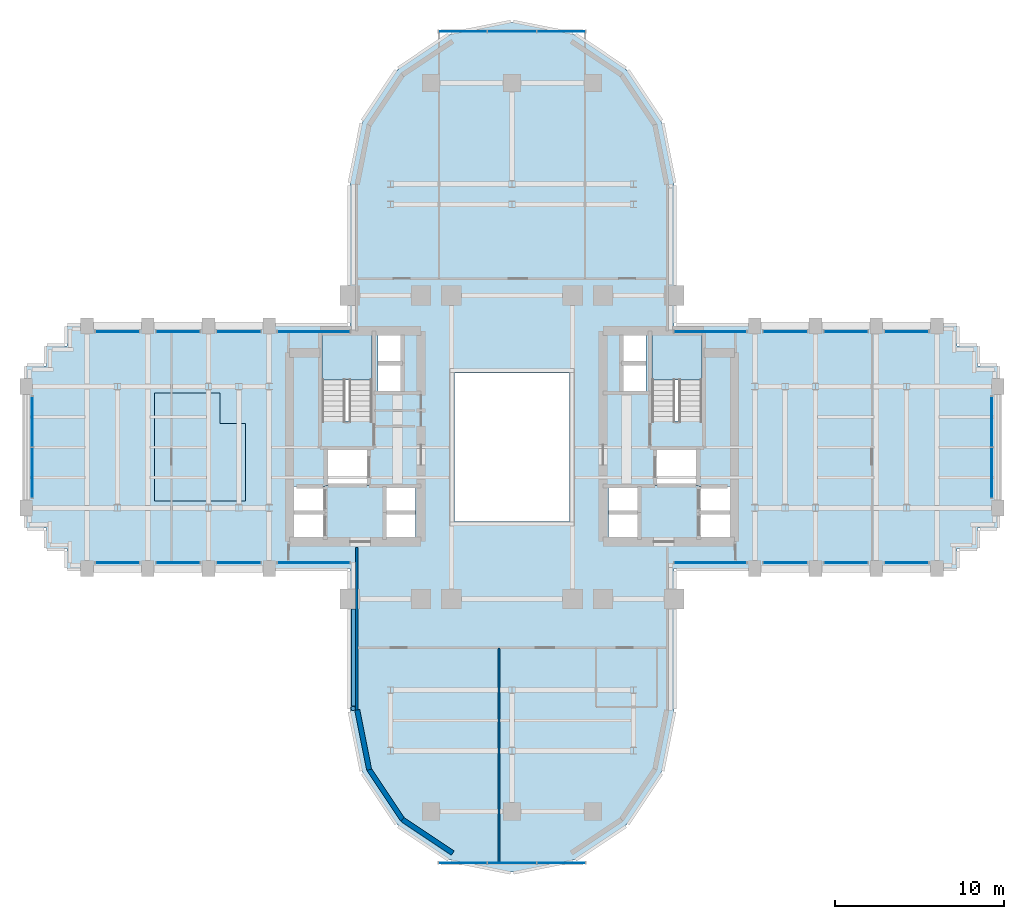
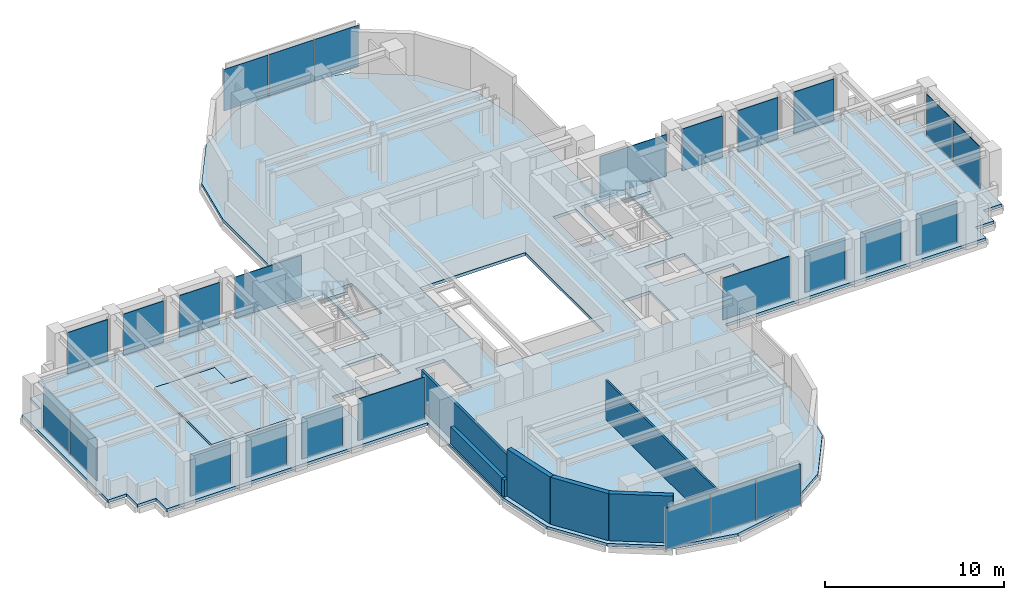
# One storey, part 9 of 16: 26 plates, 7 walls, 4 slabs, 22 elements without a shape of their own.
"""IFC4 building model written with IfcOpenShell, lengths in metres."""

import ifcopenshell
import ifcopenshell.guid

model = None  # the IFC model being written
_history = None  # IfcOwnerHistory: only IFC2X3 demands one
_inside = {}  # id of a spatial element -> (the spatial element, [elements in it])
_under = {}  # id of a project, library or spatial element -> (it, [spatial elements below it])
_declared = {}  # id of a project -> (the project, [libraries it declares])
_typed = {}  # id of a type object -> (the type object, [elements of that type])
_made_of = {}  # id of a material, layer set ... -> (it, [elements and type objects made of it])


def new_model(schema):
    """Start an empty IFC model of exactly this schema.

    Asked for "IFC4X3", IfcOpenShell would pick the latest addendum, in which some entities
    have other attributes; the version numbers below select the first issue.
    IFC2X3 requires an IfcOwnerHistory on every rooted entity: one is made here for all.
    """
    global model, _history
    if schema == "IFC4X3":
        model = ifcopenshell.file(schema_version=(4, 3, 0, 0))
    else:
        model = ifcopenshell.file(schema=schema)
    _inside.clear()
    _under.clear()
    _declared.clear()
    _typed.clear()
    _made_of.clear()
    _history = None
    if model.schema == "IFC2X3":
        org = make("IfcOrganization", Name="unknown")
        user = make(
            "IfcPersonAndOrganization",
            ThePerson=make("IfcPerson", FamilyName="unknown"),
            TheOrganization=org,
        )
        app = make(
            "IfcApplication",
            ApplicationDeveloper=org,
            Version="unknown",
            ApplicationFullName="unknown",
            ApplicationIdentifier="unknown",
        )
        _history = make(
            "IfcOwnerHistory",
            OwningUser=user,
            OwningApplication=app,
            ChangeAction="ADDED",
            CreationDate=0,
        )
    return model


def make(cls, **values):
    """One entity of the class cls with the attributes given. An attribute that is None is left unset."""
    return model.create_entity(
        cls, **{name: value for name, value in values.items() if value is not None}
    )


def rooted(cls, **values):
    """An entity with a GlobalId (a new one), such as an element, a storey or a relation."""
    return make(cls, GlobalId=ifcopenshell.guid.new(), OwnerHistory=_history, **values)


def si_unit(unit_type, name, prefix=None):
    """IfcSIUnit, for example si_unit("LENGTHUNIT", "METRE", prefix="MILLI")."""
    return make("IfcSIUnit", UnitType=unit_type, Prefix=prefix, Name=name)


def assignment(units):
    """IfcUnitAssignment: the units of a project."""
    return None if units is None else make("IfcUnitAssignment", Units=units)


def point(xyz):
    """IfcCartesianPoint."""
    return None if xyz is None else make("IfcCartesianPoint", Coordinates=xyz)


def direction(xyz):
    """IfcDirection."""
    return None if xyz is None else make("IfcDirection", DirectionRatios=xyz)


def frame(location, z_axis=None, x_axis=None):
    """IfcAxis2Placement3D, a coordinate frame: its origin and axes. An axis left out is left unset."""
    return make(
        "IfcAxis2Placement3D",
        Location=point(location),
        Axis=direction(z_axis),
        RefDirection=direction(x_axis),
    )


def frame_2d(location, x_axis=None):
    """IfcAxis2Placement2D, a coordinate frame in the plane: its origin and x axis."""
    return make(
        "IfcAxis2Placement2D", Location=point(location), RefDirection=direction(x_axis)
    )


def origin():
    """The frame at (0, 0, 0) with its axes left unset."""
    return frame((0.0, 0.0, 0.0))


def origin_2d():
    """The frame at (0, 0) in the plane with its x axis left unset."""
    return frame_2d((0.0, 0.0))


def place(relative_to, where):
    """IfcLocalPlacement: puts the frame where relative to a parent placement (None: the world)."""
    return make(
        "IfcLocalPlacement", PlacementRelTo=relative_to, RelativePlacement=where
    )


def context(
    kind, dimensions, precision=None, world=None, true_north=None, identifier=None
):
    """IfcGeometricRepresentationContext, for example the 3D "Model" context."""
    return make(
        "IfcGeometricRepresentationContext",
        ContextIdentifier=identifier,
        ContextType=kind,
        CoordinateSpaceDimension=dimensions,
        Precision=precision,
        WorldCoordinateSystem=world,
        TrueNorth=true_north,
    )


def subcontext(parent, identifier, kind, view, scale=None):
    """IfcGeometricRepresentationSubContext, for example "Body" below "Model"."""
    return make(
        "IfcGeometricRepresentationSubContext",
        ContextIdentifier=identifier,
        ContextType=kind,
        ParentContext=parent,
        TargetScale=scale,
        TargetView=view,
    )


def project(units=None, contexts=None):
    """IfcProject with its units and contexts."""
    return rooted(
        "IfcProject",
        Name="project",
        RepresentationContexts=contexts,
        UnitsInContext=assignment(units),
    )


def spatial(cls, under=None, at=None, **own):
    """A site, building, storey or space (cls), placed at a placement, below another one or the project."""
    s = rooted(cls, ObjectPlacement=at, **own)
    if under is not None:
        _under.setdefault(under.id(), (under, []))[1].append(s)
    return s


def polyline(points):
    """IfcPolyline through the points."""
    return make("IfcPolyline", Points=[point(p) for p in points])


def profile(cls, at=None, kind="AREA", **sizes):
    """A parametric profile (cls). Its sizes go by their IFC names, for example OverallWidth=200.0."""
    return make(cls, ProfileType=kind, Position=at, **sizes)


def rectangle(**sizes):
    """IfcRectangleProfileDef."""
    return profile("IfcRectangleProfileDef", **sizes)


def outline(outer, holes=None, kind="AREA"):
    """IfcArbitraryClosedProfileDef: a profile drawn as a closed curve; with holes, ...WithVoids."""
    if holes is None:
        return make("IfcArbitraryClosedProfileDef", ProfileType=kind, OuterCurve=outer)
    return make(
        "IfcArbitraryProfileDefWithVoids",
        ProfileType=kind,
        OuterCurve=outer,
        InnerCurves=holes,
    )


def extrude(swept, where, along, depth):
    """IfcExtrudedAreaSolid: the profile swept, set in the frame where, extruded along a direction by depth."""
    return make(
        "IfcExtrudedAreaSolid",
        SweptArea=swept,
        Position=where,
        ExtrudedDirection=direction(along),
        Depth=depth,
    )


def shape(context_of_items, identifier, shape_type, items):
    """IfcShapeRepresentation: the items that make up one representation, for example the "Body"."""
    return make(
        "IfcShapeRepresentation",
        ContextOfItems=context_of_items,
        RepresentationIdentifier=identifier,
        RepresentationType=shape_type,
        Items=items,
    )


def source(mapping_origin, context_of_items, identifier, shape_type, items):
    """IfcRepresentationMap: a shape defined once, which mapped items show again and again."""
    return make(
        "IfcRepresentationMap",
        MappingOrigin=mapping_origin,
        MappedRepresentation=shape(context_of_items, identifier, shape_type, items),
    )


def transform(
    local_origin,
    x_axis=None,
    y_axis=None,
    z_axis=None,
    scale=None,
    scale2=None,
    scale3=None,
    uniform=True,
):
    """IfcCartesianTransformationOperator3D, or its non-uniform kind. x_axis, y_axis, z_axis: its Axis1, 2, 3."""
    if uniform:
        return make(
            "IfcCartesianTransformationOperator3D",
            Axis1=direction(x_axis),
            Axis2=direction(y_axis),
            LocalOrigin=point(local_origin),
            Scale=scale,
            Axis3=direction(z_axis),
        )
    return make(
        "IfcCartesianTransformationOperator3DnonUniform",
        Axis1=direction(x_axis),
        Axis2=direction(y_axis),
        LocalOrigin=point(local_origin),
        Scale=scale,
        Axis3=direction(z_axis),
        Scale2=scale2,
        Scale3=scale3,
    )


def mapped(mapping_source, mapping_target):
    """IfcMappedItem: shows the shape of a source again, moved by a transform."""
    return make(
        "IfcMappedItem", MappingSource=mapping_source, MappingTarget=mapping_target
    )


def material(Name=None, Category=None):
    """IfcMaterial."""
    return make("IfcMaterial", Name=Name, Category=Category)


def layer(
    of_material, thickness, ventilated=None, Name=None, Category=None, Priority=None
):
    """IfcMaterialLayer: one layer of a wall or slab, of a material (None: an air gap)."""
    return make(
        "IfcMaterialLayer",
        Material=of_material,
        LayerThickness=thickness,
        IsVentilated=ventilated,
        Name=Name,
        Category=Category,
        Priority=Priority,
    )


def layer_set(layers, Name=None):
    """IfcMaterialLayerSet."""
    return make("IfcMaterialLayerSet", MaterialLayers=layers, LayerSetName=Name)


def made_of(thing, what):
    """Note that an element or type object is made of a material, layer set ...; save() writes the relation."""
    if what is not None:
        _made_of.setdefault(what.id(), (what, []))[1].append(thing)
    return thing


def type_object(cls, material=None, **own):
    """A type object (cls), such as IfcWallType, which elements share."""
    return made_of(rooted(cls, **own), material)


def element(
    cls,
    number,
    at=None,
    inside=None,
    cuts=None,
    type_object=None,
    material=None,
    context=None,
    identifier="Body",
    shape_type=None,
    held_by="IfcProductDefinitionShape",
    body=None,
    shapes=None,
    **own,
):
    """One element of the class cls, such as IfcWall. Its Tag is "e" and its number.

    at: its placement. inside: the storey or other place that contains it. cuts: it is an
    opening in that element (IfcRelVoidsElement). A single representation is given by context,
    identifier, shape_type and body (its items); several are given by shapes. held_by: the class
    of the entity that holds the representations. save() writes the other relations.
    """
    e = rooted(cls, Tag="e%d" % number, ObjectPlacement=at, **own)
    if body is not None:
        shapes = [shape(context, identifier, shape_type, body)]
    if shapes is not None:
        e.Representation = make(held_by, Representations=shapes)
    if inside is not None:
        _inside.setdefault(inside.id(), (inside, []))[1].append(e)
    if cuts is not None:
        rooted(
            "IfcRelVoidsElement", RelatingBuildingElement=cuts, RelatedOpeningElement=e
        )
    if type_object is not None:
        _typed.setdefault(type_object.id(), (type_object, []))[1].append(e)
    return made_of(e, material)


def aggregate(whole, parts):
    """IfcRelAggregates: a whole, such as a stair, and the parts it consists of."""
    return rooted("IfcRelAggregates", RelatingObject=whole, RelatedObjects=parts)


def save(model, path):
    """Write the relations noted so far, then the file.

    IfcRelAggregates (storeys below a building ...), IfcRelContainedInSpatialStructure (elements
    in a storey), IfcRelDefinesByType, IfcRelAssociatesMaterial and IfcRelDeclares: one each for
    every whole, place, type object, material and project.
    """
    for whole, parts in _under.values():
        aggregate(whole, parts)
    for where, things in _inside.values():
        rooted(
            "IfcRelContainedInSpatialStructure",
            RelatedElements=things,
            RelatingStructure=where,
        )
    for kind, things in _typed.values():
        rooted("IfcRelDefinesByType", RelatedObjects=things, RelatingType=kind)
    for what, things in _made_of.values():
        rooted("IfcRelAssociatesMaterial", RelatedObjects=things, RelatingMaterial=what)
    for by, libraries in _declared.values():
        rooted("IfcRelDeclares", RelatingContext=by, RelatedDefinitions=libraries)
    model.write(path)


model = new_model("IFC4")

# Units and contexts
model_context = context("Model", 3, precision=1e-05, world=origin(), true_north=direction((0.0, 1.0)))
body_context = subcontext(model_context, "Body", "Model", "MODEL_VIEW")
ifc_project = project(units=[si_unit("LENGTHUNIT", "METRE"), si_unit("AREAUNIT", "SQUARE_METRE"), si_unit("VOLUMEUNIT", "CUBIC_METRE"), si_unit("PLANEANGLEUNIT", "RADIAN"), si_unit("MASSUNIT", "GRAM", prefix="KILO")], contexts=[model_context])

# Site, building, storey
site_placement = place(None, origin())
site = spatial("IfcSite", under=ifc_project, at=site_placement, CompositionType="ELEMENT")
building_placement = place(site_placement, origin())
building = spatial("IfcBuilding", under=site, at=building_placement, Name="Keilestroom Media Tower", CompositionType="ELEMENT")
storey_placement = place(building_placement, frame((0.0, 0.0, 81.60009765625)))
storey = spatial("IfcBuildingStorey", under=building, at=storey_placement, Name="L21", CompositionType="ELEMENT", Elevation=81.60009765625)

# Slabs
ifc_material_1 = material(Name="Concrete C50/60", Category="concrete")
ifc_layer_1 = layer(ifc_material_1, 0.199951171875)
ifc_layer_set_1 = layer_set([ifc_layer_1], Name="Concrete C50/60")
slab_type_1 = type_object("IfcSlabType", Name="Composite-Floor-Slab-200", PredefinedType="FLOOR", material=ifc_layer_set_1)
slab_1_placement = place(storey_placement, frame((0.0, 0.0, -0.2001953125)))
element("IfcSlab", 1, at=slab_1_placement, inside=storey, type_object=slab_type_1, Name="L21 Structural Composite Floor Slab", PredefinedType="FLOOR", context=body_context, shape_type="SweptSolid", body=[
    extrude(outline(polyline([(28.800048828125, -4.800048828125), (28.800048828125, 4.800048828125), (27.60009765625, 4.800048828125), (27.60009765625, 6.0), (26.39990234375, 6.0), (26.39990234375, 7.199951171875), (9.60009765625, 7.199951171875), (9.60009765625, 9.60009765625), (9.60009765625, 15.60009765625), (8.869140625, 19.273681640625), (6.7880859375, 22.38818359375), (3.673828125, 24.46923828125), (0.0, 25.199951171875), (-3.673828125, 24.46923828125), (-6.7880859375, 22.38818359375), (-8.869140625, 19.273681640625), (-9.60009765625, 15.60009765625), (-9.60009765625, 9.60009765625), (-9.60009765625, 7.199951171875), (-26.39990234375, 7.199951171875), (-26.39990234375, 6.0), (-27.60009765625, 6.0), (-27.60009765625, 4.800048828125), (-28.800048828125, 4.800048828125), (-28.800048828125, -4.800048828125), (-27.60009765625, -4.800048828125), (-27.60009765625, -6.0), (-26.39990234375, -6.0), (-26.39990234375, -7.199951171875), (-9.60009765625, -7.199951171875), (-9.60009765625, -9.60009765625), (-9.60009765625, -15.60009765625), (-8.869140625, -19.273681640625), (-6.7880859375, -22.38818359375), (-3.673828125, -24.46923828125), (0.0, -25.199951171875), (3.673828125, -24.46923828125), (6.7880859375, -22.38818359375), (8.869140625, -19.273681640625), (9.60009765625, -15.60009765625), (9.60009765625, -9.60009765625), (9.60009765625, -7.199951171875), (26.39990234375, -7.199951171875), (26.39990234375, -6.0), (27.60009765625, -6.0), (27.60009765625, -4.800048828125), (28.800048828125, -4.800048828125)]), holes=[polyline([(-12.919921875, -5.47998046875), (-12.919921875, -2.320068359375), (-11.080078125, -2.320068359375), (-11.080078125, -5.47998046875), (-12.919921875, -5.47998046875)]), polyline([(-11.260009765625, 1.544921875), (-11.260009765625, 6.760009765625), (-8.300048828125, 6.760009765625), (-8.300048828125, 1.544921875), (-11.260009765625, 1.544921875)]), polyline([(-11.050048828125, -2.280029296875), (-11.050048828125, -0.10009765625), (-8.47998046875, -0.10009765625), (-8.47998046875, -2.280029296875), (-11.050048828125, -2.280029296875)]), polyline([(-7.949951171875, 3.300048828125), (-7.949951171875, 6.64990234375), (-6.47998046875, 6.64990234375), (-6.47998046875, 3.300048828125), (-7.949951171875, 3.300048828125)]), polyline([(-7.56005859375, -5.47998046875), (-7.56005859375, -2.320068359375), (-5.719970703125, -2.320068359375), (-5.719970703125, -5.47998046875), (-7.56005859375, -5.47998046875)]), polyline([(-3.39990234375, -4.39990234375), (-3.39990234375, 4.39990234375), (3.39990234375, 4.39990234375), (3.39990234375, -4.39990234375), (-3.39990234375, -4.39990234375)]), polyline([(5.719970703125, -5.47998046875), (5.719970703125, -2.320068359375), (7.56005859375, -2.320068359375), (7.56005859375, -5.47998046875), (5.719970703125, -5.47998046875)]), polyline([(7.949951171875, 6.64990234375), (7.949951171875, 3.300048828125), (6.47998046875, 3.300048828125), (6.47998046875, 6.64990234375), (7.949951171875, 6.64990234375)]), polyline([(8.300048828125, 6.760009765625), (11.260009765625, 6.760009765625), (11.260009765625, 1.544921875), (8.300048828125, 1.544921875), (8.300048828125, 6.760009765625)]), polyline([(8.47998046875, -2.280029296875), (8.47998046875, -0.10009765625), (11.050048828125, -0.10009765625), (11.050048828125, -2.280029296875), (8.47998046875, -2.280029296875)]), polyline([(12.919921875, -5.47998046875), (11.080078125, -5.47998046875), (11.080078125, -2.320068359375), (12.919921875, -2.320068359375), (12.919921875, -5.47998046875)])]), origin(), (0.0, 0.0, 1.0), 0.2001953125),
])
ifc_material_2 = material(Name="Concrete C45/55", Category="concrete")
ifc_layer_2 = layer(ifc_material_2, 0.14990234375)
ifc_layer_set_2 = layer_set([ifc_layer_2], Name="Concrete C45/55")
slab_type_2 = type_object("IfcSlabType", Name="Floating-Studio-Floor-Slab-150", PredefinedType="FLOOR", material=ifc_layer_set_2)
slab_2_placement = place(storey_placement, origin())
element("IfcSlab", 2, at=slab_2_placement, inside=storey, type_object=slab_type_2, Name="L21 Acoustic Floating Studio Slab ST-COL-Z1", PredefinedType="FLOOR", context=body_context, shape_type="SweptSolid", body=[
    extrude(outline(polyline([(-21.199951171875, -3.199951171875), (-15.800048828125, -3.199951171875), (-15.800048828125, 1.407958984375), (-17.31201171875, 1.407958984375), (-17.31201171875, 3.199951171875), (-21.199951171875, 3.199951171875), (-21.199951171875, -3.199951171875)])), origin(), (0.0, 0.0, 1.0), 0.14990234375),
])

# Stair, slab
stair_type = type_object("IfcStairType", Name="Enclosed-Dog-Leg-Stair-ST-CORE", PredefinedType="HALF_TURN_STAIR", material=ifc_material_2)
stair_1_placement = place(storey_placement, origin())
stair_1 = element("IfcStair", 3, at=stair_1_placement, inside=storey, type_object=stair_type, Name="L21 West Core Escape Stair ST-1", PredefinedType="HALF_TURN_STAIR")
ifc_layer_3 = layer(ifc_material_2, 0.199951171875)
ifc_layer_set_3 = layer_set([ifc_layer_3], Name="Concrete C45/55")
slab_type_3 = type_object("IfcSlabType", Name="Stair-Intermediate-And-Top-Landing-Slab-200", PredefinedType="LANDING", material=ifc_layer_set_3)
slab_3_placement = place(storey_placement, frame((0.0, 0.0, 1.5)))
slab_3 = element("IfcSlab", 4, at=slab_3_placement, type_object=slab_type_3, Name="ST-1 landing 1", PredefinedType="LANDING", context=body_context, shape_type="SweptSolid", body=[
    extrude(outline(polyline([(-8.300048828125, 3.99609375), (-8.300048828125, 6.760009765625), (-11.260009765625, 6.760009765625), (-11.260009765625, 3.99609375), (-8.300048828125, 3.99609375)])), origin(), (0.0, 0.0, 1.0), 0.199951171875),
])
aggregate(stair_1, [slab_3])

stair_2_placement = place(storey_placement, origin())
stair_2 = element("IfcStair", 5, at=stair_2_placement, inside=storey, type_object=stair_type, Name="L21 East Core Escape Stair ST-2", PredefinedType="HALF_TURN_STAIR")
slab_4_placement = place(storey_placement, frame((0.0, 0.0, 1.5)))
slab_4 = element("IfcSlab", 6, at=slab_4_placement, type_object=slab_type_3, Name="ST-2 landing 1", PredefinedType="LANDING", context=body_context, shape_type="SweptSolid", body=[
    extrude(outline(polyline([(11.260009765625, 3.99609375), (11.260009765625, 6.760009765625), (8.300048828125, 6.760009765625), (8.300048828125, 3.99609375), (11.260009765625, 3.99609375)])), origin(), (0.0, 0.0, 1.0), 0.199951171875),
])
aggregate(stair_2, [slab_4])

# Curtain wall, plates
ifc_material_3 = material(Name="Anodised Aluminium Alloy", Category="aluminium")
curtain_wall_type_1 = type_object("IfcCurtainWallType", Name="Unitised-Curtain-Wall-CW-1", PredefinedType="NOTDEFINED", material=ifc_material_3)
curtain_wall_1_placement = place(storey_placement, origin())
curtain_wall_1 = element("IfcCurtainWall", 7, at=curtain_wall_1_placement, inside=storey, type_object=curtain_wall_type_1, Name="L21 Curtain Wall CW-1 CW-L21-W-1", PredefinedType="NOTDEFINED")
ifc_material_4 = material(Name="Double Glazed Low-E Unit", Category="glass")
ifc_layer_4 = layer(ifc_material_4, 0.0439453125)
ifc_layer_set_4 = layer_set([ifc_layer_4], Name="Double Glazed Low-E Unit")
plate_type_1 = type_object("IfcPlateType", Name="Insulated-Curtain-Wall-Glazing-Panel-CW-1", PredefinedType="CURTAIN_PANEL", material=ifc_layer_set_4)
shared_shape_1 = source(origin(), body_context, "Body", "SweptSolid", [
    extrude(rectangle(XDim=2.968017578125, YDim=0.0439453125, at=origin_2d()), origin(), (0.0, 0.0, 1.0), 2.833984375),
])
plate_1_placement = place(storey_placement, frame((-28.449951171875, -1.514892578125, 0.072998046875), z_axis=(0.0, 0.0, 1.0), x_axis=(0.0, 1.0, 0.0)))
plate_1 = element("IfcPlate", 8, at=plate_1_placement, type_object=plate_type_1, Name="CW-1 Unitised Glazing 00", PredefinedType="CURTAIN_PANEL", context=body_context, shape_type="MappedRepresentation", body=[
    mapped(shared_shape_1, transform((0.0, 0.0, 0.0), x_axis=(1.0, 0.0, 0.0), y_axis=(0.0, 1.0, 0.0), z_axis=(0.0, 0.0, 1.0), scale=1.0)),
])
plate_2_placement = place(storey_placement, frame((-28.449951171875, 1.514892578125, 0.072998046875), z_axis=(0.0, 0.0, 1.0), x_axis=(0.0, 1.0, 0.0)))
plate_2 = element("IfcPlate", 9, at=plate_2_placement, type_object=plate_type_1, Name="CW-1 Unitised Glazing 01", PredefinedType="CURTAIN_PANEL", context=body_context, shape_type="MappedRepresentation", body=[
    mapped(shared_shape_1, transform((0.0, 0.0, 0.0), x_axis=(1.0, 0.0, 0.0), y_axis=(0.0, 1.0, 0.0), z_axis=(0.0, 0.0, 1.0), scale=1.0)),
])
aggregate(curtain_wall_1, [plate_1, plate_2])

curtain_wall_2_placement = place(storey_placement, origin())
curtain_wall_2 = element("IfcCurtainWall", 10, at=curtain_wall_2_placement, inside=storey, type_object=curtain_wall_type_1, Name="L21 Curtain Wall CW-1 CW-L21-E-1", PredefinedType="NOTDEFINED")
plate_3_placement = place(storey_placement, frame((28.449951171875, -1.514892578125, 0.072998046875), z_axis=(0.0, 0.0, 1.0), x_axis=(0.0, 1.0, 0.0)))
plate_3 = element("IfcPlate", 11, at=plate_3_placement, type_object=plate_type_1, Name="CW-1 Unitised Glazing 00", PredefinedType="CURTAIN_PANEL", context=body_context, shape_type="MappedRepresentation", body=[
    mapped(shared_shape_1, transform((0.0, 0.0, 0.0), x_axis=(1.0, 0.0, 0.0), y_axis=(0.0, 1.0, 0.0), z_axis=(0.0, 0.0, 1.0), scale=1.0)),
])
plate_4_placement = place(storey_placement, frame((28.449951171875, 1.514892578125, 0.072998046875), z_axis=(0.0, 0.0, 1.0), x_axis=(0.0, 1.0, 0.0)))
plate_4 = element("IfcPlate", 12, at=plate_4_placement, type_object=plate_type_1, Name="CW-1 Unitised Glazing 01", PredefinedType="CURTAIN_PANEL", context=body_context, shape_type="MappedRepresentation", body=[
    mapped(shared_shape_1, transform((0.0, 0.0, 0.0), x_axis=(1.0, 0.0, 0.0), y_axis=(0.0, 1.0, 0.0), z_axis=(0.0, 0.0, 1.0), scale=1.0)),
])
aggregate(curtain_wall_2, [plate_3, plate_4])

# Curtain wall, plate
curtain_wall_3_placement = place(storey_placement, origin())
curtain_wall_3 = element("IfcCurtainWall", 13, at=curtain_wall_3_placement, inside=storey, type_object=curtain_wall_type_1, Name="L21 Curtain Wall CW-1 CW-L21-NW-1", PredefinedType="NOTDEFINED")
shared_shape_2 = source(origin(), body_context, "Body", "SweptSolid", [
    extrude(rectangle(XDim=2.597900390625, YDim=0.0439453125, at=origin_2d()), origin(), (0.0, 0.0, 1.0), 2.833984375),
])
plate_5_placement = place(storey_placement, frame((-23.39990234375, 6.85009765625, 0.072998046875), z_axis=(0.0, 0.0, 1.0), x_axis=(1.0, 0.0, 0.0)))
plate_5 = element("IfcPlate", 14, at=plate_5_placement, type_object=plate_type_1, Name="CW-1 Unitised Glazing 00", PredefinedType="CURTAIN_PANEL", context=body_context, shape_type="MappedRepresentation", body=[
    mapped(shared_shape_2, transform((0.0, 0.0, 0.0), x_axis=(1.0, 0.0, 0.0), y_axis=(0.0, 1.0, 0.0), z_axis=(0.0, 0.0, 1.0), scale=1.0)),
])
aggregate(curtain_wall_3, [plate_5])

curtain_wall_4_placement = place(storey_placement, origin())
curtain_wall_4 = element("IfcCurtainWall", 15, at=curtain_wall_4_placement, inside=storey, type_object=curtain_wall_type_1, Name="L21 Curtain Wall CW-1 CW-L21-NW-2", PredefinedType="NOTDEFINED")
plate_6_placement = place(storey_placement, frame((-19.800048828125, 6.85009765625, 0.072998046875), z_axis=(0.0, 0.0, 1.0), x_axis=(1.0, 0.0, 0.0)))
plate_6 = element("IfcPlate", 16, at=plate_6_placement, type_object=plate_type_1, Name="CW-1 Unitised Glazing 00", PredefinedType="CURTAIN_PANEL", context=body_context, shape_type="MappedRepresentation", body=[
    mapped(shared_shape_2, transform((0.0, 0.0, 0.0), x_axis=(1.0, 0.0, 0.0), y_axis=(0.0, 1.0, 0.0), z_axis=(0.0, 0.0, 1.0), scale=1.0)),
])
aggregate(curtain_wall_4, [plate_6])

curtain_wall_5_placement = place(storey_placement, origin())
curtain_wall_5 = element("IfcCurtainWall", 17, at=curtain_wall_5_placement, inside=storey, type_object=curtain_wall_type_1, Name="L21 Curtain Wall CW-1 CW-L21-NW-3", PredefinedType="NOTDEFINED")
plate_7_placement = place(storey_placement, frame((-16.199951171875, 6.85009765625, 0.072998046875), z_axis=(0.0, 0.0, 1.0), x_axis=(1.0, 0.0, 0.0)))
plate_7 = element("IfcPlate", 18, at=plate_7_placement, type_object=plate_type_1, Name="CW-1 Unitised Glazing 00", PredefinedType="CURTAIN_PANEL", context=body_context, shape_type="MappedRepresentation", body=[
    mapped(shared_shape_2, transform((0.0, 0.0, 0.0), x_axis=(1.0, 0.0, 0.0), y_axis=(0.0, 1.0, 0.0), z_axis=(0.0, 0.0, 1.0), scale=1.0)),
])
aggregate(curtain_wall_5, [plate_7])

curtain_wall_6_placement = place(storey_placement, origin())
curtain_wall_6 = element("IfcCurtainWall", 19, at=curtain_wall_6_placement, inside=storey, type_object=curtain_wall_type_1, Name="L21 Curtain Wall CW-1 CW-L21-NE-2", PredefinedType="NOTDEFINED")
plate_8_placement = place(storey_placement, frame((16.199951171875, 6.85009765625, 0.072998046875), z_axis=(0.0, 0.0, 1.0), x_axis=(1.0, 0.0, 0.0)))
plate_8 = element("IfcPlate", 20, at=plate_8_placement, type_object=plate_type_1, Name="CW-1 Unitised Glazing 00", PredefinedType="CURTAIN_PANEL", context=body_context, shape_type="MappedRepresentation", body=[
    mapped(shared_shape_2, transform((0.0, 0.0, 0.0), x_axis=(1.0, 0.0, 0.0), y_axis=(0.0, 1.0, 0.0), z_axis=(0.0, 0.0, 1.0), scale=1.0)),
])
aggregate(curtain_wall_6, [plate_8])

curtain_wall_7_placement = place(storey_placement, origin())
curtain_wall_7 = element("IfcCurtainWall", 21, at=curtain_wall_7_placement, inside=storey, type_object=curtain_wall_type_1, Name="L21 Curtain Wall CW-1 CW-L21-NE-3", PredefinedType="NOTDEFINED")
plate_9_placement = place(storey_placement, frame((19.800048828125, 6.85009765625, 0.072998046875), z_axis=(0.0, 0.0, 1.0), x_axis=(1.0, 0.0, 0.0)))
plate_9 = element("IfcPlate", 22, at=plate_9_placement, type_object=plate_type_1, Name="CW-1 Unitised Glazing 00", PredefinedType="CURTAIN_PANEL", context=body_context, shape_type="MappedRepresentation", body=[
    mapped(shared_shape_2, transform((0.0, 0.0, 0.0), x_axis=(1.0, 0.0, 0.0), y_axis=(0.0, 1.0, 0.0), z_axis=(0.0, 0.0, 1.0), scale=1.0)),
])
aggregate(curtain_wall_7, [plate_9])

curtain_wall_8_placement = place(storey_placement, origin())
curtain_wall_8 = element("IfcCurtainWall", 23, at=curtain_wall_8_placement, inside=storey, type_object=curtain_wall_type_1, Name="L21 Curtain Wall CW-1 CW-L21-NE-4", PredefinedType="NOTDEFINED")
plate_10_placement = place(storey_placement, frame((23.39990234375, 6.85009765625, 0.072998046875), z_axis=(0.0, 0.0, 1.0), x_axis=(1.0, 0.0, 0.0)))
plate_10 = element("IfcPlate", 24, at=plate_10_placement, type_object=plate_type_1, Name="CW-1 Unitised Glazing 00", PredefinedType="CURTAIN_PANEL", context=body_context, shape_type="MappedRepresentation", body=[
    mapped(shared_shape_2, transform((0.0, 0.0, 0.0), x_axis=(1.0, 0.0, 0.0), y_axis=(0.0, 1.0, 0.0), z_axis=(0.0, 0.0, 1.0), scale=1.0)),
])
aggregate(curtain_wall_8, [plate_10])

curtain_wall_9_placement = place(storey_placement, origin())
curtain_wall_9 = element("IfcCurtainWall", 25, at=curtain_wall_9_placement, inside=storey, type_object=curtain_wall_type_1, Name="L21 Curtain Wall CW-1 CW-L21-SW-1", PredefinedType="NOTDEFINED")
plate_11_placement = place(storey_placement, frame((-23.39990234375, -6.85009765625, 0.072998046875), z_axis=(0.0, 0.0, 1.0), x_axis=(1.0, 0.0, 0.0)))
plate_11 = element("IfcPlate", 26, at=plate_11_placement, type_object=plate_type_1, Name="CW-1 Unitised Glazing 00", PredefinedType="CURTAIN_PANEL", context=body_context, shape_type="MappedRepresentation", body=[
    mapped(shared_shape_2, transform((0.0, 0.0, 0.0), x_axis=(1.0, 0.0, 0.0), y_axis=(0.0, 1.0, 0.0), z_axis=(0.0, 0.0, 1.0), scale=1.0)),
])
aggregate(curtain_wall_9, [plate_11])

curtain_wall_10_placement = place(storey_placement, origin())
curtain_wall_10 = element("IfcCurtainWall", 27, at=curtain_wall_10_placement, inside=storey, type_object=curtain_wall_type_1, Name="L21 Curtain Wall CW-1 CW-L21-SW-2", PredefinedType="NOTDEFINED")
plate_12_placement = place(storey_placement, frame((-19.800048828125, -6.85009765625, 0.072998046875), z_axis=(0.0, 0.0, 1.0), x_axis=(1.0, 0.0, 0.0)))
plate_12 = element("IfcPlate", 28, at=plate_12_placement, type_object=plate_type_1, Name="CW-1 Unitised Glazing 00", PredefinedType="CURTAIN_PANEL", context=body_context, shape_type="MappedRepresentation", body=[
    mapped(shared_shape_2, transform((0.0, 0.0, 0.0), x_axis=(1.0, 0.0, 0.0), y_axis=(0.0, 1.0, 0.0), z_axis=(0.0, 0.0, 1.0), scale=1.0)),
])
aggregate(curtain_wall_10, [plate_12])

curtain_wall_11_placement = place(storey_placement, origin())
curtain_wall_11 = element("IfcCurtainWall", 29, at=curtain_wall_11_placement, inside=storey, type_object=curtain_wall_type_1, Name="L21 Curtain Wall CW-1 CW-L21-SW-3", PredefinedType="NOTDEFINED")
plate_13_placement = place(storey_placement, frame((-16.199951171875, -6.85009765625, 0.072998046875), z_axis=(0.0, 0.0, 1.0), x_axis=(1.0, 0.0, 0.0)))
plate_13 = element("IfcPlate", 30, at=plate_13_placement, type_object=plate_type_1, Name="CW-1 Unitised Glazing 00", PredefinedType="CURTAIN_PANEL", context=body_context, shape_type="MappedRepresentation", body=[
    mapped(shared_shape_2, transform((0.0, 0.0, 0.0), x_axis=(1.0, 0.0, 0.0), y_axis=(0.0, 1.0, 0.0), z_axis=(0.0, 0.0, 1.0), scale=1.0)),
])
aggregate(curtain_wall_11, [plate_13])

curtain_wall_12_placement = place(storey_placement, origin())
curtain_wall_12 = element("IfcCurtainWall", 31, at=curtain_wall_12_placement, inside=storey, type_object=curtain_wall_type_1, Name="L21 Curtain Wall CW-1 CW-L21-SE-2", PredefinedType="NOTDEFINED")
plate_14_placement = place(storey_placement, frame((16.199951171875, -6.85009765625, 0.072998046875), z_axis=(0.0, 0.0, 1.0), x_axis=(1.0, 0.0, 0.0)))
plate_14 = element("IfcPlate", 32, at=plate_14_placement, type_object=plate_type_1, Name="CW-1 Unitised Glazing 00", PredefinedType="CURTAIN_PANEL", context=body_context, shape_type="MappedRepresentation", body=[
    mapped(shared_shape_2, transform((0.0, 0.0, 0.0), x_axis=(1.0, 0.0, 0.0), y_axis=(0.0, 1.0, 0.0), z_axis=(0.0, 0.0, 1.0), scale=1.0)),
])
aggregate(curtain_wall_12, [plate_14])

curtain_wall_13_placement = place(storey_placement, origin())
curtain_wall_13 = element("IfcCurtainWall", 33, at=curtain_wall_13_placement, inside=storey, type_object=curtain_wall_type_1, Name="L21 Curtain Wall CW-1 CW-L21-SE-3", PredefinedType="NOTDEFINED")
plate_15_placement = place(storey_placement, frame((19.800048828125, -6.85009765625, 0.072998046875), z_axis=(0.0, 0.0, 1.0), x_axis=(1.0, 0.0, 0.0)))
plate_15 = element("IfcPlate", 34, at=plate_15_placement, type_object=plate_type_1, Name="CW-1 Unitised Glazing 00", PredefinedType="CURTAIN_PANEL", context=body_context, shape_type="MappedRepresentation", body=[
    mapped(shared_shape_2, transform((0.0, 0.0, 0.0), x_axis=(1.0, 0.0, 0.0), y_axis=(0.0, 1.0, 0.0), z_axis=(0.0, 0.0, 1.0), scale=1.0)),
])
aggregate(curtain_wall_13, [plate_15])

curtain_wall_14_placement = place(storey_placement, origin())
curtain_wall_14 = element("IfcCurtainWall", 35, at=curtain_wall_14_placement, inside=storey, type_object=curtain_wall_type_1, Name="L21 Curtain Wall CW-1 CW-L21-SE-4", PredefinedType="NOTDEFINED")
plate_16_placement = place(storey_placement, frame((23.39990234375, -6.85009765625, 0.072998046875), z_axis=(0.0, 0.0, 1.0), x_axis=(1.0, 0.0, 0.0)))
plate_16 = element("IfcPlate", 36, at=plate_16_placement, type_object=plate_type_1, Name="CW-1 Unitised Glazing 00", PredefinedType="CURTAIN_PANEL", context=body_context, shape_type="MappedRepresentation", body=[
    mapped(shared_shape_2, transform((0.0, 0.0, 0.0), x_axis=(1.0, 0.0, 0.0), y_axis=(0.0, 1.0, 0.0), z_axis=(0.0, 0.0, 1.0), scale=1.0)),
])
aggregate(curtain_wall_14, [plate_16])

curtain_wall_15_placement = place(storey_placement, origin())
curtain_wall_15 = element("IfcCurtainWall", 37, at=curtain_wall_15_placement, inside=storey, type_object=curtain_wall_type_1, Name="L21 Curtain Wall CW-1 CW-L21-NW-4", PredefinedType="NOTDEFINED")
shared_shape_3 = source(origin(), body_context, "Body", "SweptSolid", [
    extrude(rectangle(XDim=4.282958984375, YDim=0.0439453125, at=origin_2d()), origin(), (0.0, 0.0, 1.0), 2.833984375),
])
plate_17_placement = place(storey_placement, frame((-11.757568359375, 6.85009765625, 0.072998046875), z_axis=(0.0, 0.0, 1.0), x_axis=(1.0, 0.0, 0.0)))
plate_17 = element("IfcPlate", 38, at=plate_17_placement, type_object=plate_type_1, Name="CW-1 Unitised Glazing 00", PredefinedType="CURTAIN_PANEL", context=body_context, shape_type="MappedRepresentation", body=[
    mapped(shared_shape_3, transform((0.0, 0.0, 0.0), x_axis=(1.0, 0.0, 0.0), y_axis=(0.0, 1.0, 0.0), z_axis=(0.0, 0.0, 1.0), scale=1.0)),
])
aggregate(curtain_wall_15, [plate_17])

curtain_wall_16_placement = place(storey_placement, origin())
curtain_wall_16 = element("IfcCurtainWall", 39, at=curtain_wall_16_placement, inside=storey, type_object=curtain_wall_type_1, Name="L21 Curtain Wall CW-1 CW-L21-NE-1", PredefinedType="NOTDEFINED")
plate_18_placement = place(storey_placement, frame((11.757568359375, 6.85009765625, 0.072998046875), z_axis=(0.0, 0.0, 1.0), x_axis=(1.0, 0.0, 0.0)))
plate_18 = element("IfcPlate", 40, at=plate_18_placement, type_object=plate_type_1, Name="CW-1 Unitised Glazing 00", PredefinedType="CURTAIN_PANEL", context=body_context, shape_type="MappedRepresentation", body=[
    mapped(shared_shape_3, transform((0.0, 0.0, 0.0), x_axis=(1.0, 0.0, 0.0), y_axis=(0.0, 1.0, 0.0), z_axis=(0.0, 0.0, 1.0), scale=1.0)),
])
aggregate(curtain_wall_16, [plate_18])

curtain_wall_17_placement = place(storey_placement, origin())
curtain_wall_17 = element("IfcCurtainWall", 41, at=curtain_wall_17_placement, inside=storey, type_object=curtain_wall_type_1, Name="L21 Curtain Wall CW-1 CW-L21-SW-4", PredefinedType="NOTDEFINED")
plate_19_placement = place(storey_placement, frame((-11.757568359375, -6.85009765625, 0.072998046875), z_axis=(0.0, 0.0, 1.0), x_axis=(1.0, 0.0, 0.0)))
plate_19 = element("IfcPlate", 42, at=plate_19_placement, type_object=plate_type_1, Name="CW-1 Unitised Glazing 00", PredefinedType="CURTAIN_PANEL", context=body_context, shape_type="MappedRepresentation", body=[
    mapped(shared_shape_3, transform((0.0, 0.0, 0.0), x_axis=(1.0, 0.0, 0.0), y_axis=(0.0, 1.0, 0.0), z_axis=(0.0, 0.0, 1.0), scale=1.0)),
])
aggregate(curtain_wall_17, [plate_19])

curtain_wall_18_placement = place(storey_placement, origin())
curtain_wall_18 = element("IfcCurtainWall", 43, at=curtain_wall_18_placement, inside=storey, type_object=curtain_wall_type_1, Name="L21 Curtain Wall CW-1 CW-L21-SE-1", PredefinedType="NOTDEFINED")
plate_20_placement = place(storey_placement, frame((11.757568359375, -6.85009765625, 0.072998046875), z_axis=(0.0, 0.0, 1.0), x_axis=(1.0, 0.0, 0.0)))
plate_20 = element("IfcPlate", 44, at=plate_20_placement, type_object=plate_type_1, Name="CW-1 Unitised Glazing 00", PredefinedType="CURTAIN_PANEL", context=body_context, shape_type="MappedRepresentation", body=[
    mapped(shared_shape_3, transform((0.0, 0.0, 0.0), x_axis=(1.0, 0.0, 0.0), y_axis=(0.0, 1.0, 0.0), z_axis=(0.0, 0.0, 1.0), scale=1.0)),
])
aggregate(curtain_wall_18, [plate_20])

# Curtain wall, plates
curtain_wall_type_2 = type_object("IfcCurtainWallType", Name="Unitised-Curtain-Wall-CW-6", PredefinedType="NOTDEFINED", material=ifc_material_3)
curtain_wall_19_placement = place(storey_placement, origin())
curtain_wall_19 = element("IfcCurtainWall", 45, at=curtain_wall_19_placement, inside=storey, type_object=curtain_wall_type_2, Name="L21 Curtain Wall CW-6 CW-L21-LN-1", PredefinedType="NOTDEFINED")
ifc_material_5 = material(Name="Curved-Facet Triple Glazed Unit", Category="glass")
ifc_layer_5 = layer(ifc_material_5, 0.033935546875)
ifc_layer_set_5 = layer_set([ifc_layer_5], Name="Curved-Facet Triple Glazed Unit")
plate_type_2 = type_object("IfcPlateType", Name="Insulated-Curtain-Wall-Glazing-Panel-CW-6", PredefinedType="CURTAIN_PANEL", material=ifc_layer_set_5)
shared_shape_4 = source(origin(), body_context, "Body", "SweptSolid", [
    extrude(rectangle(XDim=2.84375, YDim=0.033935546875, at=origin_2d()), origin(), (0.0, 0.0, 1.0), 2.833984375),
])
plate_21_placement = place(storey_placement, frame((-2.9169921875, 24.64990234375, 0.072998046875), z_axis=(0.0, 0.0, 1.0), x_axis=(1.0, 0.0, 0.0)))
plate_21 = element("IfcPlate", 46, at=plate_21_placement, type_object=plate_type_2, Name="CW-6 Unitised Glazing 00", PredefinedType="CURTAIN_PANEL", context=body_context, shape_type="MappedRepresentation", body=[
    mapped(shared_shape_4, transform((0.0, 0.0, 0.0), x_axis=(1.0, 0.0, 0.0), y_axis=(0.0, 1.0, 0.0), z_axis=(0.0, 0.0, 1.0), scale=1.0)),
])
plate_22_placement = place(storey_placement, frame((2.9169921875, 24.64990234375, 0.072998046875), z_axis=(0.0, 0.0, 1.0), x_axis=(1.0, 0.0, 0.0)))
plate_22 = element("IfcPlate", 47, at=plate_22_placement, type_object=plate_type_2, Name="CW-6 Unitised Glazing 02", PredefinedType="CURTAIN_PANEL", context=body_context, shape_type="MappedRepresentation", body=[
    mapped(shared_shape_4, transform((0.0, 0.0, 0.0), x_axis=(1.0, 0.0, 0.0), y_axis=(0.0, 1.0, 0.0), z_axis=(0.0, 0.0, 1.0), scale=1.0)),
])

curtain_wall_20_placement = place(storey_placement, origin())
curtain_wall_20 = element("IfcCurtainWall", 48, at=curtain_wall_20_placement, inside=storey, type_object=curtain_wall_type_2, Name="L21 Curtain Wall CW-6 CW-L21-LS-1", PredefinedType="NOTDEFINED")
plate_23_placement = place(storey_placement, frame((-2.9169921875, -24.64990234375, 0.072998046875), z_axis=(0.0, 0.0, 1.0), x_axis=(1.0, 0.0, 0.0)))
plate_23 = element("IfcPlate", 49, at=plate_23_placement, type_object=plate_type_2, Name="CW-6 Unitised Glazing 00", PredefinedType="CURTAIN_PANEL", context=body_context, shape_type="MappedRepresentation", body=[
    mapped(shared_shape_4, transform((0.0, 0.0, 0.0), x_axis=(1.0, 0.0, 0.0), y_axis=(0.0, 1.0, 0.0), z_axis=(0.0, 0.0, 1.0), scale=1.0)),
])
plate_24_placement = place(storey_placement, frame((2.9169921875, -24.64990234375, 0.072998046875), z_axis=(0.0, 0.0, 1.0), x_axis=(1.0, 0.0, 0.0)))
plate_24 = element("IfcPlate", 50, at=plate_24_placement, type_object=plate_type_2, Name="CW-6 Unitised Glazing 02", PredefinedType="CURTAIN_PANEL", context=body_context, shape_type="MappedRepresentation", body=[
    mapped(shared_shape_4, transform((0.0, 0.0, 0.0), x_axis=(1.0, 0.0, 0.0), y_axis=(0.0, 1.0, 0.0), z_axis=(0.0, 0.0, 1.0), scale=1.0)),
])

# Plate
shared_shape_5 = source(origin(), body_context, "Body", "SweptSolid", [
    extrude(rectangle(XDim=2.876220703125, YDim=0.033935546875, at=origin_2d()), origin(), (0.0, 0.0, 1.0), 2.833984375),
])
plate_25_placement = place(storey_placement, frame((0.0, 24.64990234375, 0.072998046875), z_axis=(0.0, 0.0, 1.0), x_axis=(1.0, 0.0, 0.0)))
plate_25 = element("IfcPlate", 51, at=plate_25_placement, type_object=plate_type_2, Name="CW-6 Unitised Glazing 01", PredefinedType="CURTAIN_PANEL", context=body_context, shape_type="MappedRepresentation", body=[
    mapped(shared_shape_5, transform((0.0, 0.0, 0.0), x_axis=(1.0, 0.0, 0.0), y_axis=(0.0, 1.0, 0.0), z_axis=(0.0, 0.0, 1.0), scale=1.0)),
])

aggregate(curtain_wall_19, [plate_21, plate_25, plate_22])

plate_26_placement = place(storey_placement, frame((0.0, -24.64990234375, 0.072998046875), z_axis=(0.0, 0.0, 1.0), x_axis=(1.0, 0.0, 0.0)))
plate_26 = element("IfcPlate", 52, at=plate_26_placement, type_object=plate_type_2, Name="CW-6 Unitised Glazing 01", PredefinedType="CURTAIN_PANEL", context=body_context, shape_type="MappedRepresentation", body=[
    mapped(shared_shape_5, transform((0.0, 0.0, 0.0), x_axis=(1.0, 0.0, 0.0), y_axis=(0.0, 1.0, 0.0), z_axis=(0.0, 0.0, 1.0), scale=1.0)),
])

aggregate(curtain_wall_20, [plate_23, plate_26, plate_24])

# Walls
ifc_material_6 = material(Name="Precast concrete C40/50", Category="concrete")
ifc_layer_6 = layer(ifc_material_6, 0.300048828125)
ifc_layer_set_6 = layer_set([ifc_layer_6], Name="Precast concrete C40/50")
wall_type_1 = type_object("IfcWallType", Name="Exterior-Masonry-Spandrel-Wall-300", PredefinedType="SOLIDWALL", material=ifc_layer_set_6)
for number, where, z_axis, x_axis, name in (
    (53, (-9.1748046875, -15.585205078125, 0.0), (0.0, 0.0, 1.0), (0.195114232679, -0.980780523974, 0.0), "L21 Lobe Facet Precast Frame Wall 07"),
    (54, (-8.48193359375, -19.097412109375, 0.0), (0.0, 0.0, 1.0), (0.555574187116, -0.831466970246, 0.0), "L21 Lobe Facet Precast Frame Wall 08"),
):
    element("IfcWall", number, at=place(storey_placement, frame(where, z_axis=z_axis, x_axis=x_axis)), inside=storey, type_object=wall_type_1, Name=name, PredefinedType="SOLIDWALL", context=body_context, shape_type="SweptSolid", body=[
        extrude(rectangle(XDim=3.608642578125, YDim=0.300048828125, at=frame_2d((1.80419921875, 0.0))), origin(), (0.0, 0.0, 1.0), 3.199951171875),
    ])
wall_1_placement = place(storey_placement, frame((-6.497802734375, -22.0771484375, 0.0), z_axis=(0.0, 0.0, 1.0), x_axis=(0.8314749531, -0.555562239868, 0.0)))
element("IfcWall", 55, at=wall_1_placement, inside=storey, type_object=wall_type_1, Name="L21 Lobe Facet Precast Frame Wall 09", PredefinedType="SOLIDWALL", context=body_context, shape_type="SweptSolid", body=[
    extrude(rectangle(XDim=3.59326171875, YDim=0.300048828125, at=frame_2d((1.796630859375, 0.0))), origin(), (0.0, 0.0, 1.0), 3.199951171875),
])
ifc_material_7 = material(Name="Gypsum Plasterboard & Steel Stud", Category="steel")
ifc_layer_7 = layer(ifc_material_7, 0.1201171875)
ifc_layer_set_7 = layer_set([ifc_layer_7], Name="Gypsum Plasterboard & Steel Stud")
wall_type_2 = type_object("IfcWallType", Name="Interior-Partition-Wall-120", PredefinedType="PARTITIONING", material=ifc_layer_set_7)
wall_2_placement = place(storey_placement, frame((-0.780029296875, -24.64990234375, 0.0), z_axis=(0.0, 0.0, 1.0), x_axis=(0.0, 1.0, 0.0)))
element("IfcWall", 56, at=wall_2_placement, inside=storey, type_object=wall_type_2, Name="L21 Interior Wall WP-L21-SL-VS", PredefinedType="PARTITIONING", context=body_context, shape_type="SweptSolid", body=[
    extrude(rectangle(XDim=12.75, YDim=0.1201171875, at=frame_2d((6.375, 0.0))), origin(), (0.0, 0.0, 1.0), 2.7099609375),
])
ifc_layer_8 = layer(ifc_material_7, 0.14990234375)
ifc_layer_set_8 = layer_set([ifc_layer_8], Name="Gypsum Plasterboard & Steel Stud")
wall_type_3 = type_object("IfcWallType", Name="Interior-Partition-Wall-150", PredefinedType="PARTITIONING", material=ifc_layer_set_8)
wall_3_placement = place(storey_placement, frame((-9.199951171875, -15.679931640625, 0.0), z_axis=(0.0, 0.0, 1.0), x_axis=(0.0, 1.0, 0.0)))
element("IfcWall", 57, at=wall_3_placement, inside=storey, type_object=wall_type_3, Name="L21 Interior Wall WP-L21-SL-CHKW", PredefinedType="PARTITIONING", context=body_context, shape_type="SweptSolid", body=[
    extrude(rectangle(XDim=9.739990234375, YDim=0.14990234375, at=frame_2d((4.8701171875, 0.0))), origin(), (0.0, 0.0, 1.0), 2.7099609375),
])
ifc_layer_9 = layer(ifc_material_6, 0.239990234375)
ifc_layer_set_9 = layer_set([ifc_layer_9], Name="Precast concrete C40/50")
wall_type_4 = type_object("IfcWallType", Name="Roof-And-Terrace-Parapet-Wall-240", PredefinedType="PARAPET", material=ifc_layer_set_9)
wall_4_placement = place(storey_placement, frame((-9.395263671875, -15.604248046875, 0.0), z_axis=(0.0, 0.0, 1.0), x_axis=(-0.194652052864, 0.980872355771, 0.0)))
element("IfcWall", 58, at=wall_4_placement, inside=storey, type_object=wall_type_4, Name="L21 Perimeter Edge Parapet Wall 09", PredefinedType="PARAPET", context=body_context, shape_type="SweptSolid", body=[
    extrude(rectangle(XDim=0.224609375, YDim=0.239990234375, at=frame_2d((0.1123046875, 0.0))), origin(), (0.0, 0.0, 1.0), 1.14990234375),
])
wall_5_placement = place(storey_placement, frame((-9.39990234375, -15.357666015625, 0.0), z_axis=(0.0, 0.0, 1.0), x_axis=(0.0, 1.0, 0.0)))
element("IfcWall", 59, at=wall_5_placement, inside=storey, type_object=wall_type_4, Name="L21 Perimeter Edge Parapet Wall 10", PredefinedType="PARAPET", context=body_context, shape_type="SweptSolid", body=[
    extrude(rectangle(XDim=5.754638671875, YDim=0.239990234375, at=frame_2d((2.87744140625, 0.0))), origin(), (0.0, 0.0, 1.0), 1.14990234375),
])

save(model, "model.ifc")
